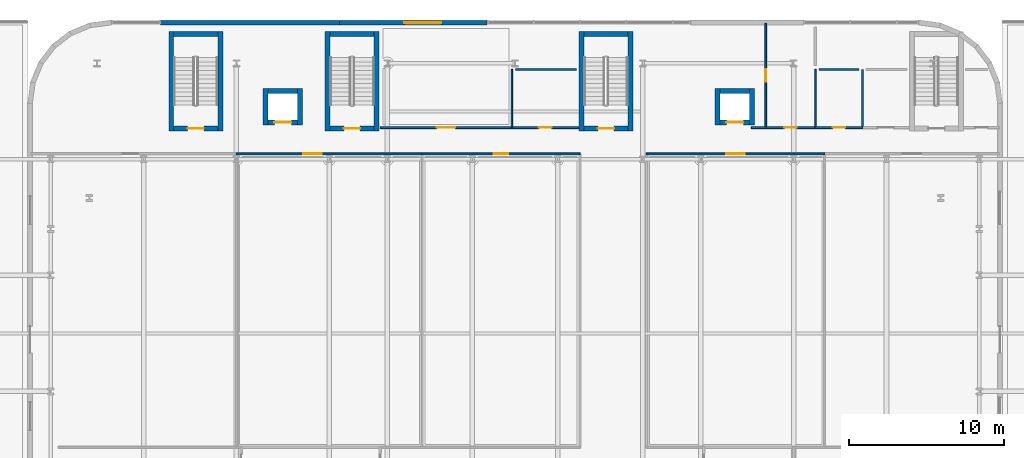
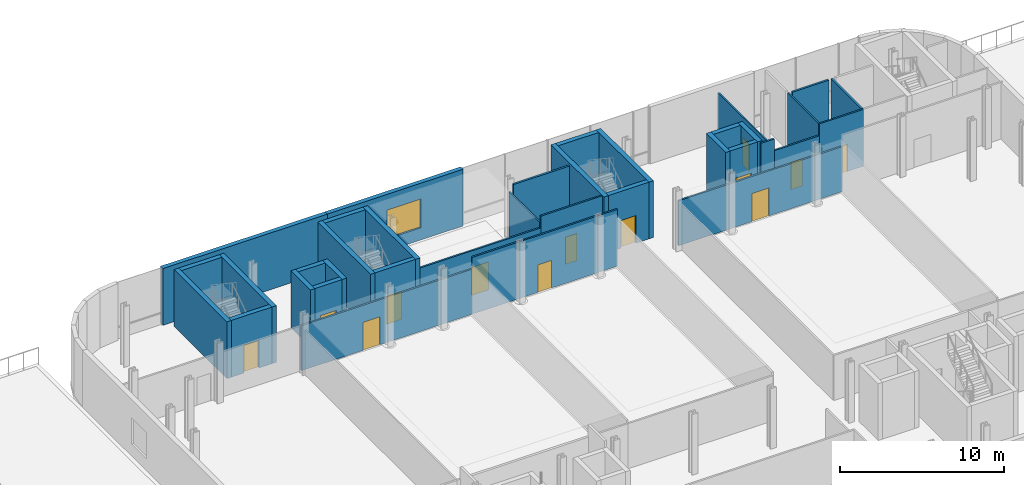
# One storey, part 17 of 26: 36 walls, 13 doors, 1 window, 14 openings.
"""IFC4 building model written with IfcOpenShell, lengths in metres."""

from ifc_helpers import new_model, si_unit, direction, frame, frame_2d, origin, place, context, subcontext, project, spatial, rectangle, extrude, material, layer, layer_set, type_object, element, fill, save


model = new_model("IFC4")

# Units and contexts
model_context = context("Model", 3, precision=1e-05, world=origin(), true_north=direction((0.0, 1.0)))
body_context = subcontext(model_context, "Body", "Model", "MODEL_VIEW")
ifc_project = project(units=[si_unit("LENGTHUNIT", "METRE"), si_unit("AREAUNIT", "SQUARE_METRE"), si_unit("VOLUMEUNIT", "CUBIC_METRE"), si_unit("PLANEANGLEUNIT", "RADIAN"), si_unit("MASSUNIT", "GRAM", prefix="KILO")], contexts=[model_context])

# Site, building, storey
site_placement = place(None, origin())
site = spatial("IfcSite", under=ifc_project, at=site_placement, CompositionType="ELEMENT")
building_placement = place(site_placement, origin())
building = spatial("IfcBuilding", under=site, at=building_placement, Name="Brevholm Reach", CompositionType="ELEMENT")
storey_placement = place(building_placement, frame((0.0, 0.0, 18.0)))
storey = spatial("IfcBuildingStorey", under=building, at=storey_placement, Name="L04", CompositionType="ELEMENT", Elevation=18.0)

# Walls
ifc_material_1 = material(Name="Concrete C60/75", Category="concrete")
ifc_layer_1 = layer(ifc_material_1, 0.320068359375)
ifc_layer_set_1 = layer_set([ifc_layer_1], Name="Concrete C60/75")
wall_type_1 = type_object("IfcWallType", Name="WAL-COR-320", PredefinedType="SHEAR", material=ifc_layer_set_1)
for number, where, z_axis, x_axis, name in (
    (1, (7.7900390625, 32.830078125, 0.0), (0.0, 0.0, 1.0), (0.0, 1.0, 0.0), "L04 Escape Stair ST-S1 Core Wall W"),
    (2, (10.9599609375, 32.830078125, 0.0), (0.0, 0.0, 1.0), (0.0, 1.0, 0.0), "L04 Escape Stair ST-S1 Core Wall E"),
):
    element("IfcWall", number, at=place(storey_placement, frame(where, z_axis=z_axis, x_axis=x_axis)), inside=storey, type_object=wall_type_1, Name=name, PredefinedType="SHEAR", context=body_context, shape_type="SweptSolid", body=[
        extrude(rectangle(XDim=6.419921875, YDim=0.320068359375, at=frame_2d((3.2099609375, 0.0))), origin(), (0.0, 0.0, 1.0), 4.219970703125),
    ])

# Wall, opening, door
wall_1_placement = place(storey_placement, frame((7.949951171875, 32.989990234375, 0.0), z_axis=(0.0, 0.0, 1.0), x_axis=(1.0, 0.0, 0.0)))
wall_1 = element("IfcWall", 3, at=wall_1_placement, inside=storey, type_object=wall_type_1, Name="L04 Escape Stair ST-S1 Core Wall S", PredefinedType="SHEAR", context=body_context, shape_type="SweptSolid", body=[
    extrude(rectangle(XDim=2.85009765625, YDim=0.320068359375, at=frame_2d((1.425048828125, 0.0))), origin(), (0.0, 0.0, 1.0), 4.219970703125),
])
opening_1_placement = place(wall_1_placement, frame((0.89990234375, 0.0, 0.0)))
opening_1 = element("IfcOpeningElement", 4, at=opening_1_placement, cuts=wall_1, Name="Opening SD-ST-S1", PredefinedType="OPENING", context=body_context, shape_type="SweptSolid", body=[
    extrude(rectangle(XDim=1.050048828125, YDim=2.06005859375, at=frame_2d((0.52490234375, 1.030029296875))), frame((0.0, 0.169921875, 0.0), z_axis=(0.0, -1.0, 0.0), x_axis=(1.0, 0.0, 0.0)), (0.0, 0.0, 1.0), 0.340087890625),
])
ifc_material_2 = material(Name="Hardwood-Lipped Steel-Core Fire and Smoke Door", Category="steel")
door_type_1 = type_object("IfcDoorType", Name="DOR-INT-FD60S", OperationType="NOTDEFINED", PredefinedType="DOOR", material=ifc_material_2)
door_1_placement = place(opening_1_placement, origin())
door_1 = element("IfcDoor", 5, at=door_1_placement, inside=storey, type_object=door_type_1, Name="L04 Protected Stair ST-S1 Lobby Door", OperationType="SINGLE_SWING_LEFT", OverallHeight=2.06005859375, OverallWidth=1.050048828125, PredefinedType="DOOR", context=body_context, shape_type="SweptSolid", body=[
    extrude(rectangle(XDim=1.050048828125, YDim=2.06005859375, at=frame_2d((0.52490234375, 1.030029296875))), frame((0.0, 0.02490234375, 0.0), z_axis=(0.0, -1.0, 0.0), x_axis=(1.0, 0.0, 0.0)), (0.0, 0.0, 1.0), 0.050048828125),
])
fill(opening_1, door_1)

# Walls
wall_2_placement = place(storey_placement, frame((10.800048828125, 39.090087890625, 0.0), z_axis=(0.0, 0.0, 1.0), x_axis=(-1.0, 0.0, 0.0)))
element("IfcWall", 6, at=wall_2_placement, inside=storey, type_object=wall_type_1, Name="L04 Escape Stair ST-S1 Core Wall N", PredefinedType="SHEAR", context=body_context, shape_type="SweptSolid", body=[
    extrude(rectangle(XDim=2.85009765625, YDim=0.320068359375, at=frame_2d((1.425048828125, 0.0))), origin(), (0.0, 0.0, 1.0), 4.219970703125),
])
for number, where, z_axis, x_axis, name in (
    (7, (17.889892578125, 32.830078125, 0.0), (0.0, 0.0, 1.0), (0.0, 1.0, 0.0), "L04 Escape Stair ST-S2 Core Wall W"),
    (8, (21.06005859375, 32.830078125, 0.0), (0.0, 0.0, 1.0), (0.0, 1.0, 0.0), "L04 Escape Stair ST-S2 Core Wall E"),
):
    element("IfcWall", number, at=place(storey_placement, frame(where, z_axis=z_axis, x_axis=x_axis)), inside=storey, type_object=wall_type_1, Name=name, PredefinedType="SHEAR", context=body_context, shape_type="SweptSolid", body=[
        extrude(rectangle(XDim=6.419921875, YDim=0.320068359375, at=frame_2d((3.2099609375, 0.0))), origin(), (0.0, 0.0, 1.0), 4.219970703125),
    ])

# Wall, opening, door
wall_3_placement = place(storey_placement, frame((18.050048828125, 32.989990234375, 0.0), z_axis=(0.0, 0.0, 1.0), x_axis=(1.0, 0.0, 0.0)))
wall_3 = element("IfcWall", 9, at=wall_3_placement, inside=storey, type_object=wall_type_1, Name="L04 Escape Stair ST-S2 Core Wall S", PredefinedType="SHEAR", context=body_context, shape_type="SweptSolid", body=[
    extrude(rectangle(XDim=2.849853515625, YDim=0.320068359375, at=frame_2d((1.4248046875, 0.0))), origin(), (0.0, 0.0, 1.0), 4.219970703125),
])
opening_2_placement = place(wall_3_placement, frame((0.89990234375, 0.0, 0.0)))
opening_2 = element("IfcOpeningElement", 10, at=opening_2_placement, cuts=wall_3, Name="Opening SD-ST-S2", PredefinedType="OPENING", context=body_context, shape_type="SweptSolid", body=[
    extrude(rectangle(XDim=1.050048828125, YDim=2.06005859375, at=frame_2d((0.52490234375, 1.030029296875))), frame((0.0, 0.169921875, 0.0), z_axis=(0.0, -1.0, 0.0), x_axis=(1.0, 0.0, 0.0)), (0.0, 0.0, 1.0), 0.340087890625),
])
door_2_placement = place(opening_2_placement, origin())
door_2 = element("IfcDoor", 11, at=door_2_placement, inside=storey, type_object=door_type_1, Name="L04 Protected Stair ST-S2 Lobby Door", OperationType="SINGLE_SWING_LEFT", OverallHeight=2.06005859375, OverallWidth=1.050048828125, PredefinedType="DOOR", context=body_context, shape_type="SweptSolid", body=[
    extrude(rectangle(XDim=1.050048828125, YDim=2.06005859375, at=frame_2d((0.52490234375, 1.030029296875))), frame((0.0, 0.02490234375, 0.0), z_axis=(0.0, -1.0, 0.0), x_axis=(1.0, 0.0, 0.0)), (0.0, 0.0, 1.0), 0.050048828125),
])
fill(opening_2, door_2)

# Walls
wall_4_placement = place(storey_placement, frame((20.89990234375, 39.090087890625, 0.0), z_axis=(0.0, 0.0, 1.0), x_axis=(-1.0, 0.0, 0.0)))
element("IfcWall", 12, at=wall_4_placement, inside=storey, type_object=wall_type_1, Name="L04 Escape Stair ST-S2 Core Wall N", PredefinedType="SHEAR", context=body_context, shape_type="SweptSolid", body=[
    extrude(rectangle(XDim=2.849853515625, YDim=0.320068359375, at=frame_2d((1.4248046875, 0.0))), origin(), (0.0, 0.0, 1.0), 4.219970703125),
])
for number, where, z_axis, x_axis, name in (
    (13, (34.2900390625, 32.830078125, 0.0), (0.0, 0.0, 1.0), (0.0, 1.0, 0.0), "L04 Escape Stair ST-S3 Core Wall W"),
    (14, (37.4599609375, 32.830078125, 0.0), (0.0, 0.0, 1.0), (0.0, 1.0, 0.0), "L04 Escape Stair ST-S3 Core Wall E"),
):
    element("IfcWall", number, at=place(storey_placement, frame(where, z_axis=z_axis, x_axis=x_axis)), inside=storey, type_object=wall_type_1, Name=name, PredefinedType="SHEAR", context=body_context, shape_type="SweptSolid", body=[
        extrude(rectangle(XDim=6.419921875, YDim=0.320068359375, at=frame_2d((3.2099609375, 0.0))), origin(), (0.0, 0.0, 1.0), 4.219970703125),
    ])

# Wall, opening, door
wall_5_placement = place(storey_placement, frame((34.449951171875, 32.989990234375, 0.0), z_axis=(0.0, 0.0, 1.0), x_axis=(1.0, 0.0, 0.0)))
wall_5 = element("IfcWall", 15, at=wall_5_placement, inside=storey, type_object=wall_type_1, Name="L04 Escape Stair ST-S3 Core Wall S", PredefinedType="SHEAR", context=body_context, shape_type="SweptSolid", body=[
    extrude(rectangle(XDim=2.85009765625, YDim=0.320068359375, at=frame_2d((1.425048828125, 0.0))), origin(), (0.0, 0.0, 1.0), 4.219970703125),
])
opening_3_placement = place(wall_5_placement, frame((0.89990234375, 0.0, 0.0)))
opening_3 = element("IfcOpeningElement", 16, at=opening_3_placement, cuts=wall_5, Name="Opening SD-ST-S3", PredefinedType="OPENING", context=body_context, shape_type="SweptSolid", body=[
    extrude(rectangle(XDim=1.050048828125, YDim=2.06005859375, at=frame_2d((0.52490234375, 1.030029296875))), frame((0.0, 0.169921875, 0.0), z_axis=(0.0, -1.0, 0.0), x_axis=(1.0, 0.0, 0.0)), (0.0, 0.0, 1.0), 0.340087890625),
])
door_3_placement = place(opening_3_placement, origin())
door_3 = element("IfcDoor", 17, at=door_3_placement, inside=storey, type_object=door_type_1, Name="L04 Protected Stair ST-S3 Lobby Door", OperationType="SINGLE_SWING_LEFT", OverallHeight=2.06005859375, OverallWidth=1.050048828125, PredefinedType="DOOR", context=body_context, shape_type="SweptSolid", body=[
    extrude(rectangle(XDim=1.050048828125, YDim=2.06005859375, at=frame_2d((0.52490234375, 1.030029296875))), frame((0.0, 0.02490234375, 0.0), z_axis=(0.0, -1.0, 0.0), x_axis=(1.0, 0.0, 0.0)), (0.0, 0.0, 1.0), 0.050048828125),
])
fill(opening_3, door_3)

# Walls
wall_6_placement = place(storey_placement, frame((37.300048828125, 39.090087890625, 0.0), z_axis=(0.0, 0.0, 1.0), x_axis=(-1.0, 0.0, 0.0)))
element("IfcWall", 18, at=wall_6_placement, inside=storey, type_object=wall_type_1, Name="L04 Escape Stair ST-S3 Core Wall N", PredefinedType="SHEAR", context=body_context, shape_type="SweptSolid", body=[
    extrude(rectangle(XDim=2.85009765625, YDim=0.320068359375, at=frame_2d((1.425048828125, 0.0))), origin(), (0.0, 0.0, 1.0), 4.219970703125),
])
for number, where, z_axis, x_axis, name in (
    (19, (13.8798828125, 33.219970703125, 0.0), (0.0, 0.0, 1.0), (0.0, 1.0, 0.0), "L04 Lift SL-1 Shaft Wall W"),
    (20, (16.1201171875, 33.219970703125, 0.0), (0.0, 0.0, 1.0), (0.0, 1.0, 0.0), "L04 Lift SL-1 Shaft Wall E"),
):
    element("IfcWall", number, at=place(storey_placement, frame(where, z_axis=z_axis, x_axis=x_axis)), inside=storey, type_object=wall_type_1, Name=name, PredefinedType="SHEAR", context=body_context, shape_type="SweptSolid", body=[
        extrude(rectangle(XDim=2.360107421875, YDim=0.320068359375, at=frame_2d((1.18017578125, 0.0))), origin(), (0.0, 0.0, 1.0), 4.219970703125),
    ])

# Wall, opening, door
wall_7_placement = place(storey_placement, frame((14.0400390625, 33.3798828125, 0.0), z_axis=(0.0, 0.0, 1.0), x_axis=(1.0, 0.0, 0.0)))
wall_7 = element("IfcWall", 21, at=wall_7_placement, inside=storey, type_object=wall_type_1, Name="L04 Lift SL-1 Shaft Wall S", PredefinedType="SHEAR", context=body_context, shape_type="SweptSolid", body=[
    extrude(rectangle(XDim=1.919921875, YDim=0.320068359375, at=frame_2d((0.9599609375, 0.0))), origin(), (0.0, 0.0, 1.0), 4.219970703125),
])
opening_4_placement = place(wall_7_placement, frame((0.409912109375, 0.0, 0.0)))
opening_4 = element("IfcOpeningElement", 22, at=opening_4_placement, cuts=wall_7, Name="Opening LD-SL-1", PredefinedType="OPENING", context=body_context, shape_type="SweptSolid", body=[
    extrude(rectangle(XDim=1.10009765625, YDim=2.06005859375, at=frame_2d((0.550048828125, 1.030029296875))), frame((0.0, 0.169921875, 0.0), z_axis=(0.0, -1.0, 0.0), x_axis=(1.0, 0.0, 0.0)), (0.0, 0.0, 1.0), 0.340087890625),
])
ifc_material_3 = material(Name="Brushed Stainless Steel Fire-Rated Sliding Lift Door", Category="steel")
door_type_2 = type_object("IfcDoorType", Name="DOR-LFT-1100", OperationType="NOTDEFINED", PredefinedType="DOOR", material=ifc_material_3)
door_4_placement = place(opening_4_placement, origin())
door_4 = element("IfcDoor", 23, at=door_4_placement, inside=storey, type_object=door_type_2, Name="L04 Lift SL-1 Sliding Landing Door", OperationType="SLIDING_TO_RIGHT", OverallHeight=2.06005859375, OverallWidth=1.10009765625, PredefinedType="DOOR", context=body_context, shape_type="SweptSolid", body=[
    extrude(rectangle(XDim=1.10009765625, YDim=2.06005859375, at=frame_2d((0.550048828125, 1.030029296875))), frame((0.0, 0.02490234375, 0.0), z_axis=(0.0, -1.0, 0.0), x_axis=(1.0, 0.0, 0.0)), (0.0, 0.0, 1.0), 0.050048828125),
])
fill(opening_4, door_4)

# Walls
wall_8_placement = place(storey_placement, frame((14.0400390625, 35.419921875, 0.0), z_axis=(0.0, 0.0, 1.0), x_axis=(1.0, 0.0, 0.0)))
element("IfcWall", 24, at=wall_8_placement, inside=storey, type_object=wall_type_1, Name="L04 Lift SL-1 Shaft Wall N", PredefinedType="SHEAR", context=body_context, shape_type="SweptSolid", body=[
    extrude(rectangle(XDim=1.919921875, YDim=0.320068359375, at=frame_2d((0.9599609375, 0.0))), origin(), (0.0, 0.0, 1.0), 4.219970703125),
])
for number, where, z_axis, x_axis, name in (
    (25, (43.080078125, 33.219970703125, 0.0), (0.0, 0.0, 1.0), (0.0, 1.0, 0.0), "L04 Lift SL-2 Shaft Wall W"),
    (26, (45.320068359375, 33.219970703125, 0.0), (0.0, 0.0, 1.0), (0.0, 1.0, 0.0), "L04 Lift SL-2 Shaft Wall E"),
):
    element("IfcWall", number, at=place(storey_placement, frame(where, z_axis=z_axis, x_axis=x_axis)), inside=storey, type_object=wall_type_1, Name=name, PredefinedType="SHEAR", context=body_context, shape_type="SweptSolid", body=[
        extrude(rectangle(XDim=2.360107421875, YDim=0.320068359375, at=frame_2d((1.18017578125, 0.0))), origin(), (0.0, 0.0, 1.0), 4.219970703125),
    ])

# Wall, opening, door
wall_9_placement = place(storey_placement, frame((43.239990234375, 33.3798828125, 0.0), z_axis=(0.0, 0.0, 1.0), x_axis=(1.0, 0.0, 0.0)))
wall_9 = element("IfcWall", 27, at=wall_9_placement, inside=storey, type_object=wall_type_1, Name="L04 Lift SL-2 Shaft Wall S", PredefinedType="SHEAR", context=body_context, shape_type="SweptSolid", body=[
    extrude(rectangle(XDim=1.919921875, YDim=0.320068359375, at=frame_2d((0.9599609375, 0.0))), origin(), (0.0, 0.0, 1.0), 4.219970703125),
])
opening_5_placement = place(wall_9_placement, frame((0.409912109375, 0.0, 0.0)))
opening_5 = element("IfcOpeningElement", 28, at=opening_5_placement, cuts=wall_9, Name="Opening LD-SL-2", PredefinedType="OPENING", context=body_context, shape_type="SweptSolid", body=[
    extrude(rectangle(XDim=1.10009765625, YDim=2.06005859375, at=frame_2d((0.550048828125, 1.030029296875))), frame((0.0, 0.169921875, 0.0), z_axis=(0.0, -1.0, 0.0), x_axis=(1.0, 0.0, 0.0)), (0.0, 0.0, 1.0), 0.340087890625),
])
door_5_placement = place(opening_5_placement, origin())
door_5 = element("IfcDoor", 29, at=door_5_placement, inside=storey, type_object=door_type_2, Name="L04 Lift SL-2 Sliding Landing Door", OperationType="SLIDING_TO_LEFT", OverallHeight=2.06005859375, OverallWidth=1.10009765625, PredefinedType="DOOR", context=body_context, shape_type="SweptSolid", body=[
    extrude(rectangle(XDim=1.10009765625, YDim=2.06005859375, at=frame_2d((0.550048828125, 1.030029296875))), frame((0.0, 0.02490234375, 0.0), z_axis=(0.0, -1.0, 0.0), x_axis=(1.0, 0.0, 0.0)), (0.0, 0.0, 1.0), 0.050048828125),
])
fill(opening_5, door_5)

# Walls
wall_10_placement = place(storey_placement, frame((43.239990234375, 35.419921875, 0.0), z_axis=(0.0, 0.0, 1.0), x_axis=(1.0, 0.0, 0.0)))
element("IfcWall", 30, at=wall_10_placement, inside=storey, type_object=wall_type_1, Name="L04 Lift SL-2 Shaft Wall N", PredefinedType="SHEAR", context=body_context, shape_type="SweptSolid", body=[
    extrude(rectangle(XDim=1.919921875, YDim=0.320068359375, at=frame_2d((0.9599609375, 0.0))), origin(), (0.0, 0.0, 1.0), 4.219970703125),
])
ifc_material_4 = material(Name="Concrete C40/50", Category="concrete")
ifc_layer_2 = layer(ifc_material_4, 0.300048828125)
ifc_layer_set_2 = layer_set([ifc_layer_2], Name="Concrete C40/50")
wall_type_2 = type_object("IfcWallType", Name="WAL-EXT-300", PredefinedType="STANDARD", material=ifc_layer_set_2)
wall_11_placement = place(storey_placement, frame((7.10009765625, 39.830078125, 0.0), z_axis=(0.0, 0.0, 1.0), x_axis=(1.0, 0.0, 0.0)))
element("IfcWall", 31, at=wall_11_placement, inside=storey, type_object=wall_type_2, Name="L04 Facade Wall WAL-L04-NPW", PredefinedType="STANDARD", context=body_context, shape_type="SweptSolid", body=[
    extrude(rectangle(XDim=11.5498046875, YDim=0.300048828125, at=frame_2d((5.77490234375, 0.0))), origin(), (0.0, 0.0, 1.0), 4.219970703125),
])

# Wall, opening, window
wall_12_placement = place(storey_placement, frame((18.64990234375, 39.830078125, 0.0), z_axis=(0.0, 0.0, 1.0), x_axis=(1.0, 0.0, 0.0)))
wall_12 = element("IfcWall", 32, at=wall_12_placement, inside=storey, type_object=wall_type_2, Name="L04 Facade Wall WAL-L04-N-ENT", PredefinedType="STANDARD", context=body_context, shape_type="SweptSolid", body=[
    extrude(rectangle(XDim=9.550048828125, YDim=0.300048828125, at=frame_2d((4.77490234375, 0.0))), origin(), (0.0, 0.0, 1.0), 4.219970703125),
])
opening_6_placement = place(wall_12_placement, frame((4.199951171875, 0.0, 0.89990234375)))
opening_6 = element("IfcOpeningElement", 33, at=opening_6_placement, cuts=wall_12, Name="Opening WN-03", PredefinedType="OPENING", context=body_context, shape_type="SweptSolid", body=[
    extrude(rectangle(XDim=2.39990234375, YDim=2.14990234375, at=frame_2d((1.199951171875, 1.074951171875))), frame((0.0, 0.159912109375, 0.0), z_axis=(0.0, -1.0, 0.0), x_axis=(1.0, 0.0, 0.0)), (0.0, 0.0, 1.0), 0.320068359375),
])
ifc_material_5 = material(Name="Dark Anodised Aluminium and Solar-Control IGU Glass", Category="aluminium")
window_type = type_object("IfcWindowType", Name="WIN-SCH-2400", PartitioningType="SINGLE_PANEL", PredefinedType="WINDOW", material=ifc_material_5)
window_placement = place(opening_6_placement, origin())
window = element("IfcWindow", 34, at=window_placement, inside=storey, type_object=window_type, Name="L04 Window WIN-L04-NC-1", OverallHeight=2.14990234375, OverallWidth=2.39990234375, PartitioningType="SINGLE_PANEL", PredefinedType="WINDOW", context=body_context, shape_type="SweptSolid", body=[
    extrude(rectangle(XDim=2.39990234375, YDim=2.14990234375, at=frame_2d((1.199951171875, 1.074951171875))), frame((0.0, 0.030029296875, 0.0), z_axis=(0.0, -1.0, 0.0), x_axis=(1.0, 0.0, 0.0)), (0.0, 0.0, 1.0), 0.06005859375),
])
fill(opening_6, window)

# Wall
ifc_material_6 = material(Name="Moisture-Resistant Acoustic Gypsum Stud Partition 100 mm", Category="gypsum")
ifc_layer_3 = layer(ifc_material_6, 0.10009765625)
ifc_layer_set_3 = layer_set([ifc_layer_3], Name="Moisture-Resistant Acoustic Gypsum Stud Partition 100 mm")
wall_type_3 = type_object("IfcWallType", Name="WAL-PRT-100", PredefinedType="PARTITIONING", material=ifc_layer_set_3)
wall_13_placement = place(storey_placement, frame((29.800048828125, 33.053955078125, 0.0), z_axis=(0.0, 0.0, 1.0), x_axis=(0.0, 1.0, 0.0)))
element("IfcWall", 35, at=wall_13_placement, inside=storey, type_object=wall_type_3, Name="L04 Internal Partition 032", PredefinedType="PARTITIONING", context=body_context, shape_type="SweptSolid", body=[
    extrude(rectangle(XDim=3.75732421875, YDim=0.10009765625, at=frame_2d((1.878662109375, 0.0))), origin(), (0.0, 0.0, 1.0), 3.738037109375),
])

# Wall, opening, door
wall_14_placement = place(storey_placement, frame((46.199951171875, 33.053955078125, 0.0), z_axis=(0.0, 0.0, 1.0), x_axis=(0.0, 1.0, 0.0)))
wall_14 = element("IfcWall", 36, at=wall_14_placement, inside=storey, type_object=wall_type_3, Name="L04 Internal Partition 033", PredefinedType="PARTITIONING", context=body_context, shape_type="SweptSolid", body=[
    extrude(rectangle(XDim=6.72607421875, YDim=0.10009765625, at=frame_2d((3.363037109375, 0.0))), origin(), (0.0, 0.0, 1.0), 3.582763671875),
])
opening_7_placement = place(wall_14_placement, frame((2.952880859375, 0.0, 0.0)))
opening_7 = element("IfcOpeningElement", 37, at=opening_7_placement, cuts=wall_14, Name="Opening ID-03", PredefinedType="OPENING", context=body_context, shape_type="SweptSolid", body=[
    extrude(rectangle(XDim=0.820068359375, YDim=2.02001953125, at=frame_2d((0.41015625, 1.010009765625))), frame((0.0, 0.06005859375, 0.0), z_axis=(0.0, -1.0, 0.0), x_axis=(1.0, 0.0, 0.0)), (0.0, 0.0, 1.0), 0.1201171875),
])
ifc_material_7 = material(Name="Moisture-Resistant Painted Timber Internal Bathroom Door", Category="wood")
door_type_3 = type_object("IfcDoorType", Name="DOR-BATH-820", OperationType="NOTDEFINED", PredefinedType="DOOR", material=ifc_material_7)
door_6_placement = place(opening_7_placement, origin())
door_6 = element("IfcDoor", 38, at=door_6_placement, inside=storey, type_object=door_type_3, Name="L04 Access Door 020", OperationType="SINGLE_SWING_RIGHT", OverallHeight=2.02001953125, OverallWidth=0.820068359375, PredefinedType="DOOR", context=body_context, shape_type="SweptSolid", body=[
    extrude(rectangle(XDim=0.820068359375, YDim=2.02001953125, at=frame_2d((0.41015625, 1.010009765625))), frame((0.0, 0.02490234375, 0.0), z_axis=(0.0, -1.0, 0.0), x_axis=(1.0, 0.0, 0.0)), (0.0, 0.0, 1.0), 0.050048828125),
])
fill(opening_7, door_6)

# Wall
wall_15_placement = place(storey_placement, frame((49.39990234375, 33.053955078125, 0.0), z_axis=(0.0, 0.0, 1.0), x_axis=(0.0, 1.0, 0.0)))
element("IfcWall", 39, at=wall_15_placement, inside=storey, type_object=wall_type_3, Name="L04 Internal Partition 034", PredefinedType="PARTITIONING", context=body_context, shape_type="SweptSolid", body=[
    extrude(rectangle(XDim=3.75732421875, YDim=0.10009765625, at=frame_2d((1.878662109375, 0.0))), origin(), (0.0, 0.0, 1.0), 4.219970703125),
])

# Wall, opening, door
ifc_material_8 = material(Name="Acoustic Fire-Rated Classroom Gypsum Partition 120 mm", Category="gypsum")
ifc_layer_4 = layer(ifc_material_8, 0.1201171875)
ifc_layer_set_4 = layer_set([ifc_layer_4], Name="Acoustic Fire-Rated Classroom Gypsum Partition 120 mm")
wall_type_4 = type_object("IfcWallType", Name="WAL-PRT-120", PredefinedType="PARTITIONING", material=ifc_layer_set_4)
wall_16_placement = place(storey_placement, frame((21.288818359375, 33.050048828125, 0.0), z_axis=(0.0, 0.0, 1.0), x_axis=(1.0, 0.0, 0.0)))
wall_16 = element("IfcWall", 40, at=wall_16_placement, inside=storey, type_object=wall_type_4, Name="L04 Internal Partition 010", PredefinedType="PARTITIONING", context=body_context, shape_type="SweptSolid", body=[
    extrude(rectangle(XDim=8.5224609375, YDim=0.1201171875, at=frame_2d((4.26123046875, 0.0))), origin(), (0.0, 0.0, 1.0), 3.343994140625),
])
opening_8_placement = place(wall_16_placement, frame((3.661376953125, 0.0, 0.0)))
opening_8 = element("IfcOpeningElement", 41, at=opening_8_placement, cuts=wall_16, Name="Opening ID-SC", PredefinedType="OPENING", context=body_context, shape_type="SweptSolid", body=[
    extrude(rectangle(XDim=1.199951171875, YDim=2.080078125, at=frame_2d((0.60009765625, 1.0400390625))), frame((0.0, 0.070068359375, 0.0), z_axis=(0.0, -1.0, 0.0), x_axis=(1.0, 0.0, 0.0)), (0.0, 0.0, 1.0), 0.14013671875),
])
ifc_material_9 = material(Name="Acoustic European Oak Classroom Vision-Panel Fire Door", Category="timber")
door_type_4 = type_object("IfcDoorType", Name="DOR-SCH-1200", OperationType="NOTDEFINED", PredefinedType="DOOR", material=ifc_material_9)
door_7_placement = place(opening_8_placement, origin())
door_7 = element("IfcDoor", 42, at=door_7_placement, inside=storey, type_object=door_type_4, Name="L04 Internal Door 007", OperationType="SINGLE_SWING_LEFT", OverallHeight=2.080078125, OverallWidth=1.199951171875, PredefinedType="DOOR", context=body_context, shape_type="SweptSolid", body=[
    extrude(rectangle(XDim=1.199951171875, YDim=2.080078125, at=frame_2d((0.60009765625, 1.0400390625))), frame((0.0, 0.02490234375, 0.0), z_axis=(0.0, -1.0, 0.0), x_axis=(1.0, 0.0, 0.0)), (0.0, 0.0, 1.0), 0.050048828125),
])
fill(opening_8, door_7)

wall_17_placement = place(storey_placement, frame((29.792724609375, 33.050048828125, 0.0), z_axis=(0.0, 0.0, 1.0), x_axis=(1.0, 0.0, 0.0)))
wall_17 = element("IfcWall", 43, at=wall_17_placement, inside=storey, type_object=wall_type_4, Name="L04 Internal Partition 011", PredefinedType="PARTITIONING", context=body_context, shape_type="SweptSolid", body=[
    extrude(rectangle(XDim=4.327392578125, YDim=0.1201171875, at=frame_2d((2.16357421875, 0.0))), origin(), (0.0, 0.0, 1.0), 4.219970703125),
])
opening_9_placement = place(wall_17_placement, frame((1.753662109375, 0.0, 0.0)))
opening_9 = element("IfcOpeningElement", 44, at=opening_9_placement, cuts=wall_17, Name="Opening ID-02", PredefinedType="OPENING", context=body_context, shape_type="SweptSolid", body=[
    extrude(rectangle(XDim=0.820068359375, YDim=2.02001953125, at=frame_2d((0.41015625, 1.010009765625))), frame((0.0, 0.070068359375, 0.0), z_axis=(0.0, -1.0, 0.0), x_axis=(1.0, 0.0, 0.0)), (0.0, 0.0, 1.0), 0.14013671875),
])
ifc_material_10 = material(Name="Moisture-Resistant Painted Timber Fire-Rated Riser and Service Door", Category="wood")
door_type_5 = type_object("IfcDoorType", Name="DOR-SRV-820", OperationType="NOTDEFINED", PredefinedType="DOOR", material=ifc_material_10)
door_8_placement = place(opening_9_placement, origin())
door_8 = element("IfcDoor", 45, at=door_8_placement, inside=storey, type_object=door_type_5, Name="L04 Internal Door 008", OperationType="SINGLE_SWING_RIGHT", OverallHeight=2.02001953125, OverallWidth=0.820068359375, PredefinedType="DOOR", context=body_context, shape_type="SweptSolid", body=[
    extrude(rectangle(XDim=0.820068359375, YDim=2.02001953125, at=frame_2d((0.41015625, 1.010009765625))), frame((0.0, 0.02490234375, 0.0), z_axis=(0.0, -1.0, 0.0), x_axis=(1.0, 0.0, 0.0)), (0.0, 0.0, 1.0), 0.050048828125),
])
fill(opening_9, door_8)

# Wall
wall_18_placement = place(storey_placement, frame((45.272705078125, 33.050048828125, 0.0), z_axis=(0.0, 0.0, 1.0), x_axis=(1.0, 0.0, 0.0)))
element("IfcWall", 46, at=wall_18_placement, inside=storey, type_object=wall_type_4, Name="L04 Internal Partition 012", PredefinedType="PARTITIONING", context=body_context, shape_type="SweptSolid", body=[
    extrude(rectangle(XDim=0.9384765625, YDim=0.1201171875, at=frame_2d((0.46923828125, 0.0))), origin(), (0.0, 0.0, 1.0), 4.219970703125),
])

# Wall, opening, door
wall_19_placement = place(storey_placement, frame((46.192626953125, 33.050048828125, 0.0), z_axis=(0.0, 0.0, 1.0), x_axis=(1.0, 0.0, 0.0)))
wall_19 = element("IfcWall", 47, at=wall_19_placement, inside=storey, type_object=wall_type_4, Name="L04 Internal Partition 013", PredefinedType="PARTITIONING", context=body_context, shape_type="SweptSolid", body=[
    extrude(rectangle(XDim=3.21875, YDim=0.1201171875, at=frame_2d((1.609375, 0.0))), origin(), (0.0, 0.0, 1.0), 3.343994140625),
])
opening_10_placement = place(wall_19_placement, frame((1.19921875, 0.0, 0.0)))
opening_10 = element("IfcOpeningElement", 48, at=opening_10_placement, cuts=wall_19, Name="Opening ID-02", PredefinedType="OPENING", context=body_context, shape_type="SweptSolid", body=[
    extrude(rectangle(XDim=0.820068359375, YDim=2.02001953125, at=frame_2d((0.41015625, 1.010009765625))), frame((0.0, 0.070068359375, 0.0), z_axis=(0.0, -1.0, 0.0), x_axis=(1.0, 0.0, 0.0)), (0.0, 0.0, 1.0), 0.14013671875),
])
door_9_placement = place(opening_10_placement, origin())
door_9 = element("IfcDoor", 49, at=door_9_placement, inside=storey, type_object=door_type_5, Name="L04 Internal Door 009", OperationType="SINGLE_SWING_LEFT", OverallHeight=2.02001953125, OverallWidth=0.820068359375, PredefinedType="DOOR", context=body_context, shape_type="SweptSolid", body=[
    extrude(rectangle(XDim=0.820068359375, YDim=2.02001953125, at=frame_2d((0.41015625, 1.010009765625))), frame((0.0, 0.02490234375, 0.0), z_axis=(0.0, -1.0, 0.0), x_axis=(1.0, 0.0, 0.0)), (0.0, 0.0, 1.0), 0.050048828125),
])
fill(opening_10, door_9)

wall_20_placement = place(storey_placement, frame((49.392578125, 33.050048828125, 0.0), z_axis=(0.0, 0.0, 1.0), x_axis=(1.0, 0.0, 0.0)))
wall_20 = element("IfcWall", 50, at=wall_20_placement, inside=storey, type_object=wall_type_4, Name="L04 Internal Partition 014", PredefinedType="PARTITIONING", context=body_context, shape_type="SweptSolid", body=[
    extrude(rectangle(XDim=3.068603515625, YDim=0.1201171875, at=frame_2d((1.5341796875, 0.0))), origin(), (0.0, 0.0, 1.0), 4.219970703125),
])
opening_11_placement = place(wall_20_placement, frame((1.124267578125, 0.0, 0.0)))
opening_11 = element("IfcOpeningElement", 51, at=opening_11_placement, cuts=wall_20, Name="Opening ID-02", PredefinedType="OPENING", context=body_context, shape_type="SweptSolid", body=[
    extrude(rectangle(XDim=0.820068359375, YDim=2.02001953125, at=frame_2d((0.41015625, 1.010009765625))), frame((0.0, 0.070068359375, 0.0), z_axis=(0.0, -1.0, 0.0), x_axis=(1.0, 0.0, 0.0)), (0.0, 0.0, 1.0), 0.14013671875),
])
door_10_placement = place(opening_11_placement, origin())
door_10 = element("IfcDoor", 52, at=door_10_placement, inside=storey, type_object=door_type_5, Name="L04 Internal Door 010", OperationType="SINGLE_SWING_RIGHT", OverallHeight=2.02001953125, OverallWidth=0.820068359375, PredefinedType="DOOR", context=body_context, shape_type="SweptSolid", body=[
    extrude(rectangle(XDim=0.820068359375, YDim=2.02001953125, at=frame_2d((0.41015625, 1.010009765625))), frame((0.0, 0.02490234375, 0.0), z_axis=(0.0, -1.0, 0.0), x_axis=(1.0, 0.0, 0.0)), (0.0, 0.0, 1.0), 0.050048828125),
])
fill(opening_11, door_10)

wall_21_placement = place(storey_placement, frame((11.99267578125, 31.35009765625, 0.0), z_axis=(0.0, 0.0, 1.0), x_axis=(1.0, 0.0, 0.0)))
wall_21 = element("IfcWall", 53, at=wall_21_placement, inside=storey, type_object=wall_type_4, Name="L04 Internal Partition 018", PredefinedType="PARTITIONING", context=body_context, shape_type="SweptSolid", body=[
    extrude(rectangle(XDim=12.0185546875, YDim=0.1201171875, at=frame_2d((6.00927734375, 0.0))), origin(), (0.0, 0.0, 1.0), 3.343994140625),
])
opening_12_placement = place(wall_21_placement, frame((4.309326171875, 0.0, 0.0)))
opening_12 = element("IfcOpeningElement", 54, at=opening_12_placement, cuts=wall_21, Name="Opening ID-SC", PredefinedType="OPENING", context=body_context, shape_type="SweptSolid", body=[
    extrude(rectangle(XDim=1.199951171875, YDim=2.080078125, at=frame_2d((0.60009765625, 1.0400390625))), frame((0.0, 0.070068359375, 0.0), z_axis=(0.0, -1.0, 0.0), x_axis=(1.0, 0.0, 0.0)), (0.0, 0.0, 1.0), 0.14013671875),
])
door_11_placement = place(opening_12_placement, origin())
door_11 = element("IfcDoor", 55, at=door_11_placement, inside=storey, type_object=door_type_4, Name="L04 Internal Door 014", OperationType="SINGLE_SWING_RIGHT", OverallHeight=2.080078125, OverallWidth=1.199951171875, PredefinedType="DOOR", context=body_context, shape_type="SweptSolid", body=[
    extrude(rectangle(XDim=1.199951171875, YDim=2.080078125, at=frame_2d((0.60009765625, 1.0400390625))), frame((0.0, 0.02490234375, 0.0), z_axis=(0.0, -1.0, 0.0), x_axis=(1.0, 0.0, 0.0)), (0.0, 0.0, 1.0), 0.050048828125),
])
fill(opening_12, door_11)

wall_22_placement = place(storey_placement, frame((23.99267578125, 31.35009765625, 0.0), z_axis=(0.0, 0.0, 1.0), x_axis=(1.0, 0.0, 0.0)))
wall_22 = element("IfcWall", 56, at=wall_22_placement, inside=storey, type_object=wall_type_4, Name="L04 Internal Partition 019", PredefinedType="PARTITIONING", context=body_context, shape_type="SweptSolid", body=[
    extrude(rectangle(XDim=10.214599609375, YDim=0.1201171875, at=frame_2d((5.107421875, 0.0))), origin(), (0.0, 0.0, 1.0), 4.219970703125),
])
opening_13_placement = place(wall_22_placement, frame((4.63232421875, 0.0, 0.0)))
opening_13 = element("IfcOpeningElement", 57, at=opening_13_placement, cuts=wall_22, Name="Opening ID-30", PredefinedType="OPENING", context=body_context, shape_type="SweptSolid", body=[
    extrude(rectangle(XDim=0.949951171875, YDim=2.050048828125, at=frame_2d((0.47509765625, 1.02490234375))), frame((0.0, 0.070068359375, 0.0), z_axis=(0.0, -1.0, 0.0), x_axis=(1.0, 0.0, 0.0)), (0.0, 0.0, 1.0), 0.14013671875),
])
ifc_material_11 = material(Name="European Oak Veneered Solid-Core Fire Entrance Door", Category="timber")
door_type_6 = type_object("IfcDoorType", Name="DOR-FLT-FD30S", OperationType="NOTDEFINED", PredefinedType="DOOR", material=ifc_material_11)
door_12_placement = place(opening_13_placement, origin())
door_12 = element("IfcDoor", 58, at=door_12_placement, inside=storey, type_object=door_type_6, Name="L04 Internal Door 015", OperationType="SINGLE_SWING_LEFT", OverallHeight=2.050048828125, OverallWidth=0.949951171875, PredefinedType="DOOR", context=body_context, shape_type="SweptSolid", body=[
    extrude(rectangle(XDim=0.949951171875, YDim=2.050048828125, at=frame_2d((0.47509765625, 1.02490234375))), frame((0.0, 0.02490234375, 0.0), z_axis=(0.0, -1.0, 0.0), x_axis=(1.0, 0.0, 0.0)), (0.0, 0.0, 1.0), 0.050048828125),
])
fill(opening_13, door_12)

wall_23_placement = place(storey_placement, frame((38.49267578125, 31.35009765625, 0.0), z_axis=(0.0, 0.0, 1.0), x_axis=(1.0, 0.0, 0.0)))
wall_23 = element("IfcWall", 59, at=wall_23_placement, inside=storey, type_object=wall_type_4, Name="L04 Internal Partition 020", PredefinedType="PARTITIONING", context=body_context, shape_type="SweptSolid", body=[
    extrude(rectangle(XDim=11.5185546875, YDim=0.1201171875, at=frame_2d((5.75927734375, 0.0))), origin(), (0.0, 0.0, 1.0), 3.343994140625),
])
opening_14_placement = place(wall_23_placement, frame((5.1591796875, 0.0, 0.0)))
opening_14 = element("IfcOpeningElement", 60, at=opening_14_placement, cuts=wall_23, Name="Opening ID-SC", PredefinedType="OPENING", context=body_context, shape_type="SweptSolid", body=[
    extrude(rectangle(XDim=1.199951171875, YDim=2.080078125, at=frame_2d((0.60009765625, 1.0400390625))), frame((0.0, 0.070068359375, 0.0), z_axis=(0.0, -1.0, 0.0), x_axis=(1.0, 0.0, 0.0)), (0.0, 0.0, 1.0), 0.14013671875),
])
door_13_placement = place(opening_14_placement, origin())
door_13 = element("IfcDoor", 61, at=door_13_placement, inside=storey, type_object=door_type_4, Name="L04 Internal Door 016", OperationType="SINGLE_SWING_RIGHT", OverallHeight=2.080078125, OverallWidth=1.199951171875, PredefinedType="DOOR", context=body_context, shape_type="SweptSolid", body=[
    extrude(rectangle(XDim=1.199951171875, YDim=2.080078125, at=frame_2d((0.60009765625, 1.0400390625))), frame((0.0, 0.02490234375, 0.0), z_axis=(0.0, -1.0, 0.0), x_axis=(1.0, 0.0, 0.0)), (0.0, 0.0, 1.0), 0.050048828125),
])
fill(opening_14, door_13)

# Walls
wall_24_placement = place(storey_placement, frame((52.449951171875, 33.053955078125, 0.0), z_axis=(0.0, 0.0, 1.0), x_axis=(0.0, 1.0, 0.0)))
element("IfcWall", 62, at=wall_24_placement, inside=storey, type_object=wall_type_4, Name="L04 Internal Partition 035", PredefinedType="PARTITIONING", context=body_context, shape_type="SweptSolid", body=[
    extrude(rectangle(XDim=3.74609375, YDim=0.1201171875, at=frame_2d((1.873046875, 0.0))), origin(), (0.0, 0.0, 1.0), 4.219970703125),
])
ifc_material_12 = material(Name="Twin-Stud Acoustic Fire-Rated Gypsum Partition 140 mm", Category="gypsum")
ifc_layer_5 = layer(ifc_material_12, 0.139892578125)
ifc_layer_set_5 = layer_set([ifc_layer_5], Name="Twin-Stud Acoustic Fire-Rated Gypsum Partition 140 mm")
wall_type_5 = type_object("IfcWallType", Name="WAL-PRT-140", PredefinedType="PARTITIONING", material=ifc_layer_set_5)
wall_25_placement = place(storey_placement, frame((30.0400390625, 36.800048828125, 0.0), z_axis=(0.0, 0.0, 1.0), x_axis=(1.0, 0.0, 0.0)))
element("IfcWall", 63, at=wall_25_placement, inside=storey, type_object=wall_type_5, Name="L04 Internal Partition 043", PredefinedType="PARTITIONING", context=body_context, shape_type="SweptSolid", body=[
    extrude(rectangle(XDim=3.93994140625, YDim=0.139892578125, at=frame_2d((1.969970703125, 0.0))), origin(), (0.0, 0.0, 1.0), 4.219970703125),
])
wall_26_placement = place(storey_placement, frame((49.639892578125, 36.800048828125, 0.0), z_axis=(0.0, 0.0, 1.0), x_axis=(1.0, 0.0, 0.0)))
element("IfcWall", 64, at=wall_26_placement, inside=storey, type_object=wall_type_5, Name="L04 Internal Partition 045", PredefinedType="PARTITIONING", context=body_context, shape_type="SweptSolid", body=[
    extrude(rectangle(XDim=2.570068359375, YDim=0.139892578125, at=frame_2d((1.28515625, 0.0))), origin(), (0.0, 0.0, 1.0), 4.219970703125),
])

save(model, "model.ifc")
